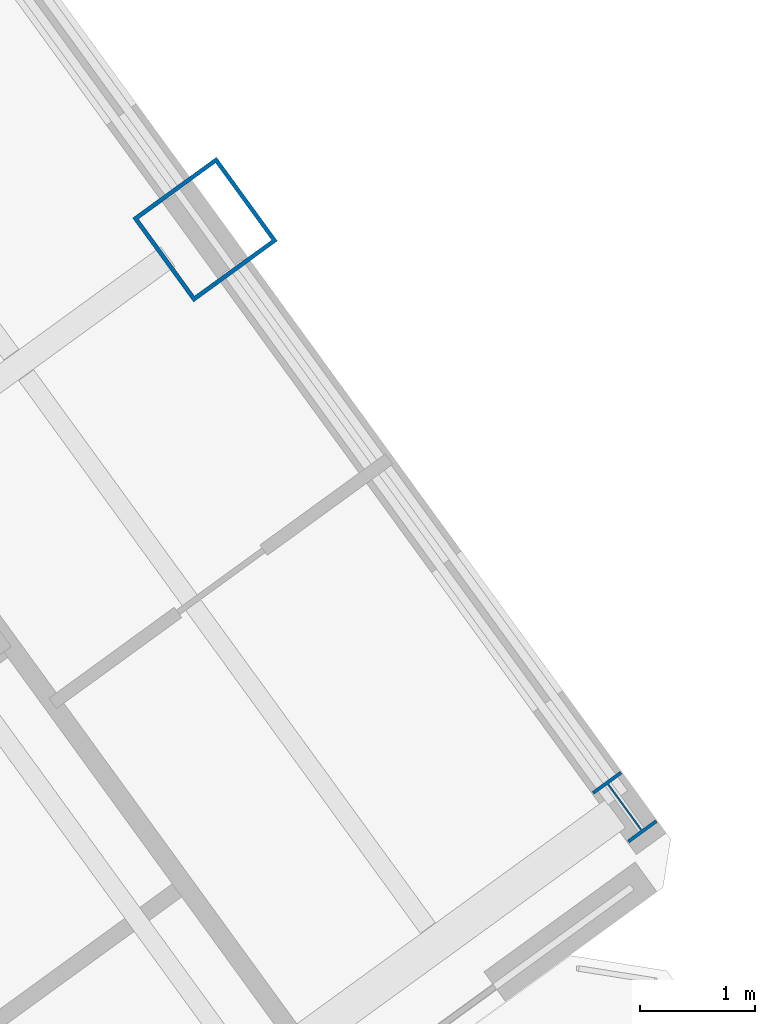
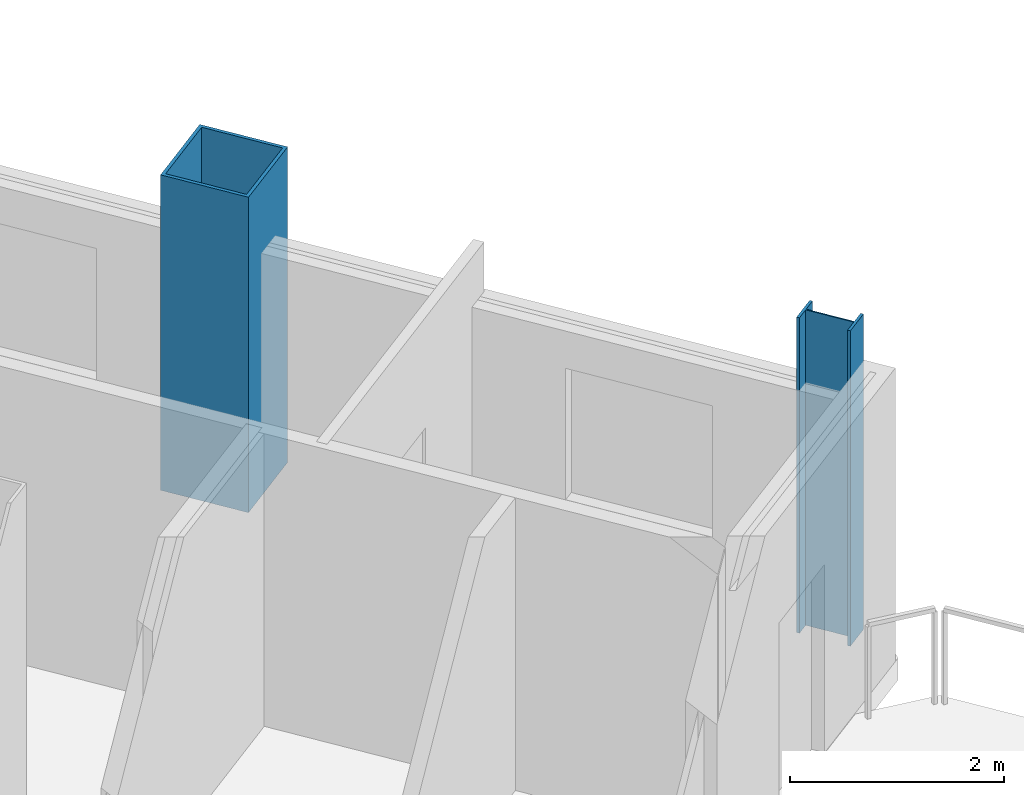
# One storey, part 4 of 19: 2 columns.
"""IFC4 building model written with IfcOpenShell, lengths in metres."""

from ifc_helpers import new_model, si_unit, direction, frame, origin, origin_2d, place, context, subcontext, project, spatial, hollow_rectangle, i_section, extrude, source, transform, mapped, material, material_profile, profile_set, type_object, element, save


model = new_model("IFC4")

# Units and contexts
model_context = context("Model", 3, precision=1e-05, world=origin(), true_north=direction((0.0, 1.0)))
body_context = subcontext(model_context, "Body", "Model", "MODEL_VIEW")
ifc_project = project(units=[si_unit("LENGTHUNIT", "METRE"), si_unit("AREAUNIT", "SQUARE_METRE"), si_unit("VOLUMEUNIT", "CUBIC_METRE"), si_unit("PLANEANGLEUNIT", "RADIAN"), si_unit("MASSUNIT", "GRAM", prefix="KILO")], contexts=[model_context])

# Site, building, storey
site_placement = place(None, origin())
site = spatial("IfcSite", under=ifc_project, at=site_placement, CompositionType="ELEMENT")
building_placement = place(site_placement, origin())
building = spatial("IfcBuilding", under=site, at=building_placement, Name="Tlacorven Tower", CompositionType="ELEMENT")
storey_placement = place(building_placement, frame((0.0, 0.0, 144.300048828125)))
storey = spatial("IfcBuildingStorey", under=building, at=storey_placement, Name="L36", CompositionType="ELEMENT", Elevation=144.300048828125)

# Columns
ifc_material = material(Name="Steel S460M", Category="steel")
ifc_material_profile_1 = material_profile(ifc_material, hollow_rectangle(XDim=0.89990234375, YDim=0.89990234375, WallThickness=0.035888671875, at=origin_2d()), Name="BOX 900X900X36")
ifc_profile_set_1 = profile_set([ifc_material_profile_1], Name="Steel S460M")
column_type_1 = type_object("IfcColumnType", Name="COL-TWR-S2", PredefinedType="COLUMN", material=ifc_profile_set_1)
shared_shape_1 = source(origin(), body_context, "Body", "SweptSolid", [
    extrude(hollow_rectangle(XDim=0.89990234375, YDim=0.89990234375, WallThickness=0.035888671875, at=origin_2d()), origin(), (0.0, 0.0, 1.0), 3.599853515625),
])
column_1_placement = place(storey_placement, frame((67.267822265625, 23.353515625, 0.0), z_axis=(0.0, 0.0, 1.0), x_axis=(0.809016994375, 0.587785252292, 0.0)))
element("IfcColumn", 1, at=column_1_placement, inside=storey, type_object=column_type_1, Name="L36 column COL-L36-E4-2", PredefinedType="COLUMN", context=body_context, shape_type="MappedRepresentation", body=[
    mapped(shared_shape_1, transform((0.0, 0.0, 0.0), scale=1.0)),
])
ifc_material_profile_2 = material_profile(ifc_material, i_section(OverallWidth=0.300048828125, OverallDepth=0.550048828125, WebThickness=0.014892578125, FlangeThickness=0.029052734375, at=origin_2d()), Name="HEB 550")
ifc_profile_set_2 = profile_set([ifc_material_profile_2], Name="Steel S460M")
column_type_2 = type_object("IfcColumnType", Name="COL-TWR-P2", PredefinedType="COLUMN", material=ifc_profile_set_2)
shared_shape_2 = source(origin(), body_context, "Body", "SweptSolid", [
    extrude(i_section(OverallWidth=0.300048828125, OverallDepth=0.550048828125, WebThickness=0.014892578125, FlangeThickness=0.029052734375, at=origin_2d()), origin(), (0.0, 0.0, 1.0), 3.599853515625),
])
column_2_placement = place(storey_placement, frame((70.911865234375, 18.337646484375, 0.0), z_axis=(0.0, 0.0, 1.0), x_axis=(0.809016994375, 0.587785252292, 0.0)))
element("IfcColumn", 2, at=column_2_placement, inside=storey, type_object=column_type_2, Name="L36 column COL-L36-E4-1", PredefinedType="COLUMN", context=body_context, shape_type="MappedRepresentation", body=[
    mapped(shared_shape_2, transform((0.0, 0.0, 0.0), scale=1.0)),
])

save(model, "model.ifc")
